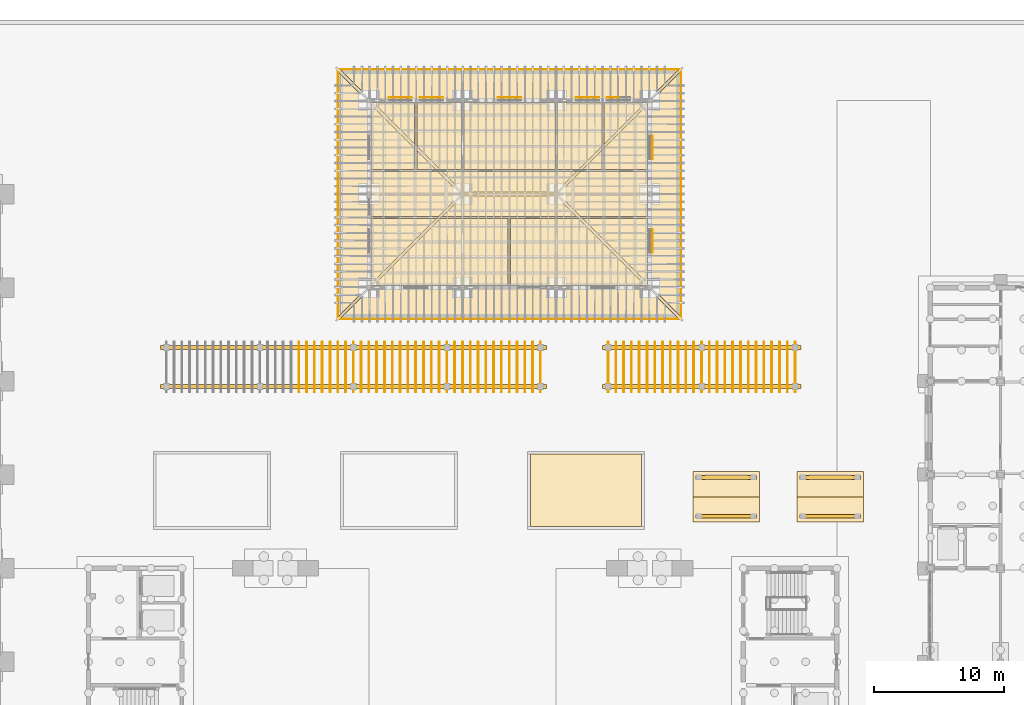
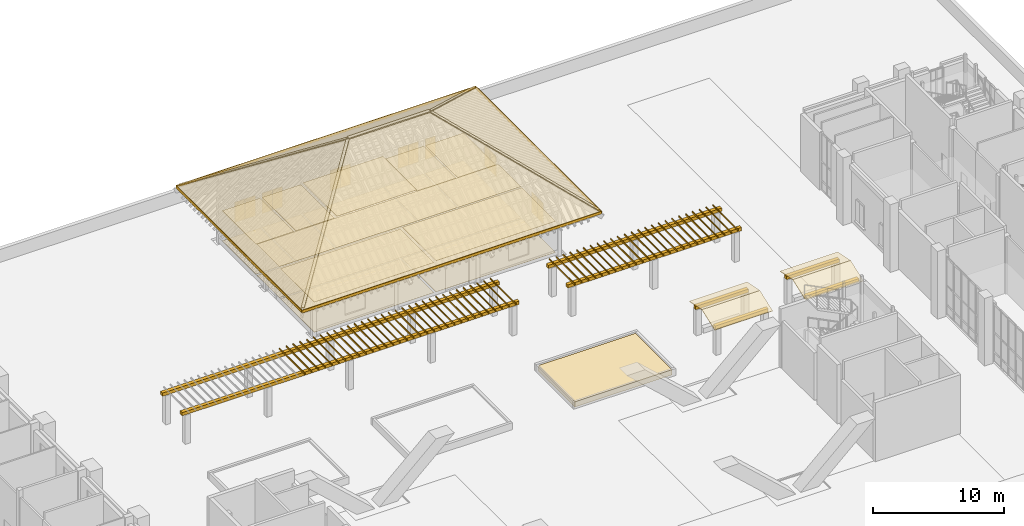
# One storey, part 77 of 84: 112 coverings.
"""IFC4 building model written with IfcOpenShell, lengths in metres."""

from ifc_helpers import new_model, si_unit, direction, frame, origin, origin_2d, place, context, subcontext, project, spatial, polyline, rectangle, outline, extrude, material, layer, layer_set, type_object, element, save


model = new_model("IFC4")

# Units and contexts
model_context = context("Model", 3, precision=1e-05, world=origin(), true_north=direction((0.0, 1.0)))
body_context = subcontext(model_context, "Body", "Model", "MODEL_VIEW")
ifc_project = project(units=[si_unit("LENGTHUNIT", "METRE"), si_unit("AREAUNIT", "SQUARE_METRE"), si_unit("VOLUMEUNIT", "CUBIC_METRE"), si_unit("PLANEANGLEUNIT", "RADIAN"), si_unit("MASSUNIT", "GRAM", prefix="KILO")], contexts=[model_context])

# Site, building, storey
site_placement = place(None, origin())
site = spatial("IfcSite", under=ifc_project, at=site_placement, CompositionType="ELEMENT")
building_placement = place(site_placement, origin())
building = spatial("IfcBuilding", under=site, at=building_placement, Name="Mazhai Court Health Centre", CompositionType="ELEMENT")
storey_placement = place(building_placement, origin())
storey = spatial("IfcBuildingStorey", under=building, at=storey_placement, Name="L00", CompositionType="ELEMENT", Elevation=0.0)

# Coverings
ifc_material_1 = material(Name="Gypsum plasterboard ceiling")
ifc_layer_1 = layer(ifc_material_1, 0.02001953125)
ifc_layer_set_1 = layer_set([ifc_layer_1], Name="CEILING GYPSUM BOARD 20")
covering_type_1 = type_object("IfcCoveringType", Name="CEILING GYPSUM BOARD 20", PredefinedType="CEILING", material=ifc_layer_set_1)
covering_1_placement = place(storey_placement, frame((0.0, 0.0, 2.800048828125)))
element("IfcCovering", 1, at=covering_1_placement, inside=storey, type_object=covering_type_1, Name="ceil-V3-L00-S-group-therapy-room", PredefinedType="CEILING", context=body_context, shape_type="SweptSolid", body=[
    extrude(outline(polyline([(103.300048828125, 49.56494140625), (103.300048828125, 54.72509765625), (92.764892578125, 54.72509765625), (92.764892578125, 49.56494140625), (103.300048828125, 49.56494140625)])), origin(), (0.0, 0.0, 1.0), 0.02001953125),
])
covering_2_placement = place(storey_placement, frame((0.0, 0.0, 2.89990234375)))
element("IfcCovering", 2, at=covering_2_placement, inside=storey, type_object=covering_type_1, Name="ceil-V3-L00-S-horticultural-therapy-workshop", PredefinedType="CEILING", context=body_context, shape_type="SweptSolid", body=[
    extrude(outline(polyline([(114.034912109375, 49.56494140625), (114.034912109375, 54.72509765625), (103.5, 54.72509765625), (103.5, 49.56494140625), (114.034912109375, 49.56494140625)])), origin(), (0.0, 0.0, 1.0), 0.02001953125),
])
covering_3_placement = place(storey_placement, frame((0.0, 0.0, 2.800048828125)))
element("IfcCovering", 3, at=covering_3_placement, inside=storey, type_object=covering_type_1, Name="ceil-V3-L00-N-quiet-room-1", PredefinedType="CEILING", context=body_context, shape_type="SweptSolid", body=[
    extrude(outline(polyline([(96.10009765625, 58.47509765625), (96.10009765625, 63.635009765625), (92.764892578125, 63.635009765625), (92.764892578125, 58.47509765625), (96.10009765625, 58.47509765625)])), origin(), (0.0, 0.0, 1.0), 0.02001953125),
])
covering_4_placement = place(storey_placement, frame((0.0, 0.0, 2.800048828125)))
element("IfcCovering", 4, at=covering_4_placement, inside=storey, type_object=covering_type_1, Name="ceil-V3-L00-N-quiet-room-2", PredefinedType="CEILING", context=body_context, shape_type="SweptSolid", body=[
    extrude(outline(polyline([(99.699951171875, 58.47509765625), (99.699951171875, 63.635009765625), (96.300048828125, 63.635009765625), (96.300048828125, 58.47509765625), (99.699951171875, 58.47509765625)])), origin(), (0.0, 0.0, 1.0), 0.02001953125),
])
covering_5_placement = place(storey_placement, frame((0.0, 0.0, 2.89990234375)))
element("IfcCovering", 5, at=covering_5_placement, inside=storey, type_object=covering_type_1, Name="ceil-V3-L00-N-art-therapy-studio", PredefinedType="CEILING", context=body_context, shape_type="SweptSolid", body=[
    extrude(outline(polyline([(106.9375, 58.47509765625), (106.9375, 63.635009765625), (99.89990234375, 63.635009765625), (99.89990234375, 58.47509765625), (106.9375, 58.47509765625)])), origin(), (0.0, 0.0, 1.0), 0.02001953125),
])
covering_6_placement = place(storey_placement, frame((0.0, 0.0, 2.60009765625)))
element("IfcCovering", 6, at=covering_6_placement, inside=storey, type_object=covering_type_1, Name="ceil-V3-L00-N-tool-store", PredefinedType="CEILING", context=body_context, shape_type="SweptSolid", body=[
    extrude(outline(polyline([(110.52490234375, 58.47509765625), (110.52490234375, 63.635009765625), (107.0625, 63.635009765625), (107.0625, 58.47509765625), (110.52490234375, 58.47509765625)])), origin(), (0.0, 0.0, 1.0), 0.02001953125),
])
ifc_material_2 = material(Name="Mineral fibre ceiling tile")
ifc_layer_2 = layer(ifc_material_2, 0.014892578125)
ifc_layer_set_2 = layer_set([ifc_layer_2], Name="CEILING MINERAL FIBRE TILE 15")
covering_type_2 = type_object("IfcCoveringType", Name="CEILING MINERAL FIBRE TILE 15", PredefinedType="CEILING", material=ifc_layer_set_2)
covering_7_placement = place(storey_placement, frame((0.0, 0.0, 2.89990234375)))
element("IfcCovering", 7, at=covering_7_placement, inside=storey, type_object=covering_type_2, Name="ceil-V3-L00-gallery", PredefinedType="CEILING", context=body_context, shape_type="SweptSolid", body=[
    extrude(outline(polyline([(114.034912109375, 58.324951171875), (92.764892578125, 58.324951171875), (92.764892578125, 54.875), (114.034912109375, 54.875), (114.034912109375, 58.324951171875)])), origin(), (0.0, 0.0, 1.0), 0.01513671875),
])
ifc_material_3 = material(Name="Moisture resistant gypsum ceiling")
ifc_layer_3 = layer(ifc_material_3, 0.014892578125)
ifc_layer_set_3 = layer_set([ifc_layer_3], Name="CEILING MOISTURE RESISTANT BOARD 15")
covering_type_3 = type_object("IfcCoveringType", Name="CEILING MOISTURE RESISTANT BOARD 15", PredefinedType="CEILING", material=ifc_layer_set_3)
covering_8_placement = place(storey_placement, frame((0.0, 0.0, 2.60009765625)))
element("IfcCovering", 8, at=covering_8_placement, inside=storey, type_object=covering_type_3, Name="ceil-V3-L00-N-accessible-wc", PredefinedType="CEILING", context=body_context, shape_type="SweptSolid", body=[
    extrude(outline(polyline([(114.034912109375, 58.47509765625), (114.034912109375, 63.635009765625), (110.675048828125, 63.635009765625), (110.675048828125, 58.47509765625), (114.034912109375, 58.47509765625)])), origin(), (0.0, 0.0, 1.0), 0.014892578125),
])
ifc_material_4 = material(Name="Heavy duty vinyl flooring")
ifc_layer_4 = layer(ifc_material_4, 0.02001953125)
ifc_layer_set_4 = layer_set([ifc_layer_4], Name="FLOOR FINISH HEAVY DUTY VINYL FLOORING 20")
covering_type_4 = type_object("IfcCoveringType", Name="FLOOR FINISH HEAVY DUTY VINYL FLOORING 20", PredefinedType="FLOORING", material=ifc_layer_set_4)
covering_9_placement = place(storey_placement, origin())
element("IfcCovering", 9, at=covering_9_placement, inside=storey, type_object=covering_type_4, Name="floor-V3-L00-N-tool-store", PredefinedType="FLOORING", context=body_context, shape_type="SweptSolid", body=[
    extrude(outline(polyline([(110.52490234375, 58.47509765625), (110.52490234375, 63.635009765625), (107.0625, 63.635009765625), (107.0625, 58.47509765625), (110.52490234375, 58.47509765625)])), origin(), (0.0, 0.0, 1.0), 0.02001953125),
])
ifc_material_5 = material(Name="Linoleum flooring")
ifc_layer_5 = layer(ifc_material_5, 0.02001953125)
ifc_layer_set_5 = layer_set([ifc_layer_5], Name="FLOOR FINISH LINOLEUM FLOORING 20")
covering_type_5 = type_object("IfcCoveringType", Name="FLOOR FINISH LINOLEUM FLOORING 20", PredefinedType="FLOORING", material=ifc_layer_set_5)
covering_10_placement = place(storey_placement, origin())
element("IfcCovering", 10, at=covering_10_placement, inside=storey, type_object=covering_type_5, Name="floor-V3-L00-S-group-therapy-room", PredefinedType="FLOORING", context=body_context, shape_type="SweptSolid", body=[
    extrude(outline(polyline([(103.300048828125, 49.56494140625), (103.300048828125, 54.72509765625), (92.764892578125, 54.72509765625), (92.764892578125, 49.56494140625), (103.300048828125, 49.56494140625)])), origin(), (0.0, 0.0, 1.0), 0.02001953125),
])
covering_11_placement = place(storey_placement, origin())
element("IfcCovering", 11, at=covering_11_placement, inside=storey, type_object=covering_type_5, Name="floor-V3-L00-S-horticultural-therapy-workshop", PredefinedType="FLOORING", context=body_context, shape_type="SweptSolid", body=[
    extrude(outline(polyline([(114.034912109375, 49.56494140625), (114.034912109375, 54.72509765625), (103.5, 54.72509765625), (103.5, 49.56494140625), (114.034912109375, 49.56494140625)])), origin(), (0.0, 0.0, 1.0), 0.02001953125),
])
covering_12_placement = place(storey_placement, origin())
element("IfcCovering", 12, at=covering_12_placement, inside=storey, type_object=covering_type_5, Name="floor-V3-L00-N-quiet-room-1", PredefinedType="FLOORING", context=body_context, shape_type="SweptSolid", body=[
    extrude(outline(polyline([(96.10009765625, 58.47509765625), (96.10009765625, 63.635009765625), (92.764892578125, 63.635009765625), (92.764892578125, 58.47509765625), (96.10009765625, 58.47509765625)])), origin(), (0.0, 0.0, 1.0), 0.02001953125),
])
covering_13_placement = place(storey_placement, origin())
element("IfcCovering", 13, at=covering_13_placement, inside=storey, type_object=covering_type_5, Name="floor-V3-L00-N-quiet-room-2", PredefinedType="FLOORING", context=body_context, shape_type="SweptSolid", body=[
    extrude(outline(polyline([(99.699951171875, 58.47509765625), (99.699951171875, 63.635009765625), (96.300048828125, 63.635009765625), (96.300048828125, 58.47509765625), (99.699951171875, 58.47509765625)])), origin(), (0.0, 0.0, 1.0), 0.02001953125),
])
covering_14_placement = place(storey_placement, origin())
element("IfcCovering", 14, at=covering_14_placement, inside=storey, type_object=covering_type_5, Name="floor-V3-L00-N-art-therapy-studio", PredefinedType="FLOORING", context=body_context, shape_type="SweptSolid", body=[
    extrude(outline(polyline([(106.9375, 58.47509765625), (106.9375, 63.635009765625), (99.89990234375, 63.635009765625), (99.89990234375, 58.47509765625), (106.9375, 58.47509765625)])), origin(), (0.0, 0.0, 1.0), 0.02001953125),
])
covering_15_placement = place(storey_placement, origin())
element("IfcCovering", 15, at=covering_15_placement, inside=storey, type_object=covering_type_5, Name="floor-V3-L00-gallery", PredefinedType="FLOORING", context=body_context, shape_type="SweptSolid", body=[
    extrude(outline(polyline([(114.034912109375, 58.324951171875), (92.764892578125, 58.324951171875), (92.764892578125, 54.875), (114.034912109375, 54.875), (114.034912109375, 58.324951171875)])), origin(), (0.0, 0.0, 1.0), 0.02001953125),
])
ifc_material_6 = material(Name="Porcelain tile flooring")
ifc_layer_6 = layer(ifc_material_6, 0.02490234375)
ifc_layer_set_6 = layer_set([ifc_layer_6], Name="FLOOR FINISH PORCELAIN TILE FLOORING 25")
covering_type_6 = type_object("IfcCoveringType", Name="FLOOR FINISH PORCELAIN TILE FLOORING 25", PredefinedType="FLOORING", material=ifc_layer_set_6)
covering_16_placement = place(storey_placement, origin())
element("IfcCovering", 16, at=covering_16_placement, inside=storey, type_object=covering_type_6, Name="floor-V3-L00-N-accessible-wc", PredefinedType="FLOORING", context=body_context, shape_type="SweptSolid", body=[
    extrude(outline(polyline([(114.034912109375, 58.47509765625), (114.034912109375, 63.635009765625), (110.675048828125, 63.635009765625), (110.675048828125, 58.47509765625), (114.034912109375, 58.47509765625)])), origin(), (0.0, 0.0, 1.0), 0.02490234375),
])
ifc_material_7 = material(Name="Planting bed soil and shrubs")
ifc_layer_7 = layer(ifc_material_7, 0.5)
ifc_layer_set_7 = layer_set([ifc_layer_7], Name="PLANTING BED SOIL 500")
covering_type_7 = type_object("IfcCoveringType", Name="PLANTING BED SOIL 500", PredefinedType="FLOORING", material=ifc_layer_set_7)
covering_17_placement = place(storey_placement, origin())
element("IfcCovering", 17, at=covering_17_placement, inside=storey, type_object=covering_type_7, Name="Planting bed 3", PredefinedType="FLOORING", context=body_context, shape_type="SweptSolid", body=[
    extrude(outline(polyline([(105.014892578125, 31.014892578125), (113.5849609375, 31.014892578125), (113.5849609375, 36.5849609375), (105.014892578125, 36.5849609375), (105.014892578125, 31.014892578125)])), origin(), (0.0, 0.0, 1.0), 0.5),
])
ifc_material_8 = material(Name="Clay roof tile")
ifc_layer_8 = layer(ifc_material_8, 0.10009765625)
ifc_layer_set_8 = layer_set([ifc_layer_8], Name="ROOFING CLAY ROOF TILE 100")
covering_type_8 = type_object("IfcCoveringType", Name="ROOFING CLAY ROOF TILE 100", PredefinedType="MOLDING", material=ifc_layer_set_8)
covering_18_placement = place(storey_placement, frame((103.39990234375, 56.60009765625, 11.3466796875), z_axis=(0.0, 0.0, 1.0), x_axis=(1.0, 0.0, 0.0)))
element("IfcCovering", 18, at=covering_18_placement, inside=storey, type_object=covering_type_8, Name="Ridge cap RV3-RG1", PredefinedType="MOLDING", context=body_context, shape_type="SweptSolid", body=[
    extrude(rectangle(XDim=7.199951171875, YDim=0.300048828125, at=origin_2d()), origin(), (0.0, 0.0, 1.0), 0.10009765625),
])
ifc_material_9 = material(Name="Larch fascia board", Category="wood")
ifc_layer_9 = layer(ifc_material_9, 0.02490234375)
ifc_layer_set_9 = layer_set([ifc_layer_9], Name="ROOFING CLAY ROOF TILE 25")
covering_type_9 = type_object("IfcCoveringType", Name="ROOFING CLAY ROOF TILE 25", PredefinedType="MOLDING", material=ifc_layer_set_9)
covering_19_placement = place(storey_placement, frame((0.0, 0.0, 4.269287109375)))
element("IfcCovering", 19, at=covering_19_placement, inside=storey, type_object=covering_type_9, Name="Fascia board RV3-FB1", PredefinedType="MOLDING", context=body_context, shape_type="SweptSolid", body=[
    extrude(outline(polyline([(116.60009765625, 47.02001953125), (90.199951171875, 47.02001953125), (90.199951171875, 46.97509765625), (116.60009765625, 46.97509765625), (116.60009765625, 47.02001953125)])), origin(), (0.0, 0.0, 1.0), 0.25),
])
covering_20_placement = place(storey_placement, frame((0.0, 0.0, 4.269287109375)))
element("IfcCovering", 20, at=covering_20_placement, inside=storey, type_object=covering_type_9, Name="Fascia board RV3-FB2", PredefinedType="MOLDING", context=body_context, shape_type="SweptSolid", body=[
    extrude(outline(polyline([(90.199951171875, 66.179931640625), (116.60009765625, 66.179931640625), (116.60009765625, 66.22509765625), (90.199951171875, 66.22509765625), (90.199951171875, 66.179931640625)])), origin(), (0.0, 0.0, 1.0), 0.25),
])
covering_21_placement = place(storey_placement, frame((0.0, 0.0, 4.269287109375)))
element("IfcCovering", 21, at=covering_21_placement, inside=storey, type_object=covering_type_9, Name="Fascia board RV3-FB3", PredefinedType="MOLDING", context=body_context, shape_type="SweptSolid", body=[
    extrude(outline(polyline([(90.219970703125, 47.0), (90.219970703125, 66.199951171875), (90.175048828125, 66.199951171875), (90.175048828125, 47.0), (90.219970703125, 47.0)])), origin(), (0.0, 0.0, 1.0), 0.25),
])
covering_22_placement = place(storey_placement, frame((0.0, 0.0, 4.269287109375)))
element("IfcCovering", 22, at=covering_22_placement, inside=storey, type_object=covering_type_9, Name="Fascia board RV3-FB4", PredefinedType="MOLDING", context=body_context, shape_type="SweptSolid", body=[
    extrude(outline(polyline([(116.580078125, 66.199951171875), (116.580078125, 47.0), (116.625, 47.0), (116.625, 66.199951171875), (116.580078125, 66.199951171875)])), origin(), (0.0, 0.0, 1.0), 0.25),
])
ifc_material_10 = material(Name="Clay roof tile")
ifc_layer_10 = layer(ifc_material_10, 0.030029296875)
ifc_layer_set_10 = layer_set([ifc_layer_10], Name="ROOFING CLAY ROOF TILE 30")
covering_type_10 = type_object("IfcCoveringType", Name="ROOFING CLAY ROOF TILE 30", PredefinedType="ROOFING", material=ifc_layer_set_10)
covering_23_placement = place(storey_placement, frame((90.27587890625, 47.0, 4.519287109375), z_axis=(0.0, -0.583057017903, 0.812431236397), x_axis=(1.0, 0.0, 0.0)))
element("IfcCovering", 23, at=covering_23_placement, inside=storey, type_object=covering_type_10, Name="Roof covering RV3-RC1", PredefinedType="ROOFING", context=body_context, shape_type="SweptSolid", body=[
    extrude(outline(polyline([(0.0, 0.0), (26.248291015625, 0.0), (16.72412109375, 11.723047434893976), (9.524169921875, 11.723047434893976), (0.0, 0.0)])), origin(), (0.0, 0.0, -1.0), 0.030029296875),
])
covering_24_placement = place(storey_placement, frame((90.27587890625, 66.199951171875, 4.519287109375), z_axis=(0.0, 0.583057017903, 0.812431236397), x_axis=(0.630560476862, -0.630560476862, 0.452533943521)))
element("IfcCovering", 24, at=covering_24_placement, inside=storey, type_object=covering_type_10, Name="Roof covering RV3-RC2", PredefinedType="ROOFING", context=body_context, shape_type="SweptSolid", body=[
    extrude(outline(polyline([(0.0, 0.0), (15.10429256408663, -4.440892098500626e-16), (19.6442972084079, 5.588170962571338), (16.55113489962744, 20.372351724218653), (0.0, 0.0)])), origin(), (0.0, 0.0, -1.0), 0.030029296875),
])
covering_25_placement = place(storey_placement, frame((99.72412109375, 56.60009765625, 11.3544921875), z_axis=(-0.583057017903, 0.0, 0.812431236397), x_axis=(-0.630560476862, 0.630560476862, -0.452533943521)))
element("IfcCovering", 25, at=covering_25_placement, inside=storey, type_object=covering_type_10, Name="Roof covering RV3-RC3", PredefinedType="ROOFING", context=body_context, shape_type="SweptSolid", body=[
    extrude(outline(polyline([(0.0, 0.0), (15.104292564086633, -4.440892098500626e-16), (3.093008363351542, 14.784370248981167), (0.0, 0.0)])), origin(), (0.0, 0.0, -1.0), 0.030029296875),
])
covering_26_placement = place(storey_placement, frame((116.60009765625, 66.124267578125, 4.519287109375), z_axis=(0.583047153025, 0.0, 0.812438316027), x_axis=(-0.630570213596, -0.630554050102, 0.452529331232)))
element("IfcCovering", 26, at=covering_26_placement, inside=storey, type_object=covering_type_10, Name="Roof covering RV3-RC4", PredefinedType="ROOFING", context=body_context, shape_type="SweptSolid", body=[
    extrude(outline(polyline([(0.0, 0.0), (15.104446510704125, 8.881784197001252e-16), (12.011161780057632, 14.784469706522131), (0.0, 0.0)])), origin(), (0.0, 0.0, -1.0), 0.030029296875),
])
ifc_material_11 = material(Name="Clay roof tile")
ifc_layer_11 = layer(ifc_material_11, 0.070068359375)
ifc_layer_set_11 = layer_set([ifc_layer_11], Name="ROOFING CLAY ROOF TILE 70")
covering_type_11 = type_object("IfcCoveringType", Name="ROOFING CLAY ROOF TILE 70", PredefinedType="MOLDING", material=ifc_layer_set_11)
covering_27_placement = place(storey_placement, frame((90.4228515625, 47.052978515625, 4.63818359375), z_axis=(-0.319869882102, -0.32010000432, 0.891750663447), x_axis=(0.630554813738, 0.630571084179, 0.452527054075)))
element("IfcCovering", 27, at=covering_27_placement, inside=storey, type_object=covering_type_11, Name="Hip cap RV3-HC1", PredefinedType="MOLDING", context=body_context, shape_type="SweptSolid", body=[
    extrude(outline(polyline([(0.0, 0.0), (15.00571615058051, 1.1345091532888318e-15), (15.005718911311979, 0.23996054999313213), (-0.00015118331485612646, 0.2401331979654536), (0.0, 0.0)])), origin(), (0.0, 0.0, -1.0), 0.070068359375),
])
covering_28_placement = place(storey_placement, frame((116.546875, 47.22265625, 4.63818359375), z_axis=(0.319869882102, -0.32010000432, 0.891750663447), x_axis=(-0.630554813738, 0.630571084179, 0.452527054075)))
element("IfcCovering", 28, at=covering_28_placement, inside=storey, type_object=covering_type_11, Name="Hip cap RV3-HC2", PredefinedType="MOLDING", context=body_context, shape_type="SweptSolid", body=[
    extrude(outline(polyline([(0.0, 0.0), (15.00571615058051, -1.1345091532888318e-15), (15.005867333895365, 0.24013319796545282), (-2.7607314666694416e-06, 0.2399605499931316), (0.0, 0.0)])), origin(), (0.0, 0.0, -1.0), 0.070068359375),
])
covering_29_placement = place(storey_placement, frame((90.2529296875, 65.977294921875, 4.63818359375), z_axis=(-0.319869882102, 0.32010000432, 0.891750663447), x_axis=(0.630562949899, -0.6305629493, 0.452527052435)))
element("IfcCovering", 29, at=covering_29_placement, inside=storey, type_object=covering_type_11, Name="Hip cap RV3-HC3", PredefinedType="MOLDING", context=body_context, shape_type="SweptSolid", body=[
    extrude(outline(polyline([(0.0, 0.0), (15.005870095620022, -1.474514954580286e-15), (15.005870095721622, 0.23996055000901192), (0.0001539461342928844, 0.24013319621014118), (0.0, 0.0)])), origin(), (0.0, 0.0, -1.0), 0.070068359375),
])
covering_30_placement = place(storey_placement, frame((116.377197265625, 66.14697265625, 4.63818359375), z_axis=(0.319869882102, 0.32010000432, 0.891750663447), x_axis=(-0.630562949899, -0.6305629493, 0.452527052435)))
element("IfcCovering", 30, at=covering_30_placement, inside=storey, type_object=covering_type_11, Name="Hip cap RV3-HC4", PredefinedType="MOLDING", context=body_context, shape_type="SweptSolid", body=[
    extrude(outline(polyline([(0.0, 0.0), (15.005870095620022, 1.474514954580286e-15), (15.005716149485728, 0.2401331962101422), (-1.0160280949911282e-10, 0.23996055000901262), (0.0, 0.0)])), origin(), (0.0, 0.0, -1.0), 0.070068359375),
])
ifc_material_12 = material(Name="Timber shingle roofing", Category="wood")
ifc_layer_12 = layer(ifc_material_12, 0.06005859375)
ifc_layer_set_12 = layer_set([ifc_layer_12], Name="SHELTER ROOF TIMBER SHINGLE 60")
covering_type_12 = type_object("IfcCoveringType", Name="SHELTER ROOF TIMBER SHINGLE 60", PredefinedType="ROOFING", material=ifc_layer_set_12)
covering_31_placement = place(storey_placement, frame((117.550048828125, 31.35009765625, 2.594970703125), z_axis=(0.0, -0.344299549758, 0.938859851115), x_axis=(1.0, 0.0, 0.0)))
element("IfcCovering", 31, at=covering_31_placement, inside=storey, type_object=covering_type_12, Name="Shelter A roof A", PredefinedType="ROOFING", context=body_context, shape_type="SweptSolid", body=[
    extrude(outline(polyline([(0.0, 0.0), (5.099853515625, 0.0), (5.099853515625, 2.0769353056884556), (0.0, 2.0769353056884556), (0.0, 0.0)])), origin(), (0.0, 0.0, -1.0), 0.06005859375),
])
covering_32_placement = place(storey_placement, frame((117.550048828125, 33.300048828125, 3.31005859375), z_axis=(0.0, 0.193706145188, 0.981059595191), x_axis=(1.0, 0.0, 0.0)))
element("IfcCovering", 32, at=covering_32_placement, inside=storey, type_object=covering_type_12, Name="Shelter A roof B", PredefinedType="ROOFING", context=body_context, shape_type="SweptSolid", body=[
    extrude(outline(polyline([(0.0, 0.0), (5.099853515625, 0.0), (5.099853515625, 1.9875970648809338), (0.0, 1.9875970648809338), (0.0, 0.0)])), origin(), (0.0, 0.0, -1.0), 0.06005859375),
])
covering_33_placement = place(storey_placement, frame((125.550048828125, 31.35009765625, 2.594970703125), z_axis=(0.0, -0.344299549758, 0.938859851115), x_axis=(1.0, 0.0, 0.0)))
element("IfcCovering", 33, at=covering_33_placement, inside=storey, type_object=covering_type_12, Name="Shelter B roof A", PredefinedType="ROOFING", context=body_context, shape_type="SweptSolid", body=[
    extrude(outline(polyline([(0.0, 0.0), (5.099853515625, 0.0), (5.099853515625, 2.0769353056884556), (0.0, 2.0769353056884556), (0.0, 0.0)])), origin(), (0.0, 0.0, -1.0), 0.06005859375),
])
covering_34_placement = place(storey_placement, frame((125.550048828125, 33.300048828125, 3.31005859375), z_axis=(0.0, 0.193706145188, 0.981059595191), x_axis=(1.0, 0.0, 0.0)))
element("IfcCovering", 34, at=covering_34_placement, inside=storey, type_object=covering_type_12, Name="Shelter B roof B", PredefinedType="ROOFING", context=body_context, shape_type="SweptSolid", body=[
    extrude(outline(polyline([(0.0, 0.0), (5.099853515625, 0.0), (5.099853515625, 1.9875970648809338), (0.0, 1.9875970648809338), (0.0, 0.0)])), origin(), (0.0, 0.0, -1.0), 0.06005859375),
])
ifc_material_13 = material(Name="Aluminium louvre", Category="aluminium")
ifc_layer_13 = layer(ifc_material_13, 0.0400390625)
ifc_layer_set_13 = layer_set([ifc_layer_13], Name="SHUTTER LEAF 600x40")
covering_type_13 = type_object("IfcCoveringType", Name="SHUTTER LEAF 600x40", PredefinedType="CLADDING", material=ifc_layer_set_13)
for number, where, z_axis, x_axis, name in (
    (35, (94.550048828125, 64.030029296875, 1.0), (0.0, 0.0, 1.0), (1.0, 0.0, 0.0), "LV-V3-N0aa"),
    (36, (95.449951171875, 64.030029296875, 1.0), (0.0, 0.0, 1.0), (1.0, 0.0, 0.0), "LV-V3-N0ab"),
    (37, (96.949951171875, 64.030029296875, 1.0), (0.0, 0.0, 1.0), (1.0, 0.0, 0.0), "LV-V3-N0ba"),
    (38, (97.85009765625, 64.030029296875, 1.0), (0.0, 0.0, 1.0), (1.0, 0.0, 0.0), "LV-V3-N0bb"),
    (39, (102.949951171875, 64.030029296875, 1.0), (0.0, 0.0, 1.0), (1.0, 0.0, 0.0), "LV-V3-N1a"),
    (40, (103.85009765625, 64.030029296875, 1.0), (0.0, 0.0, 1.0), (1.0, 0.0, 0.0), "LV-V3-N1b"),
    (41, (108.949951171875, 64.030029296875, 1.0), (0.0, 0.0, 1.0), (1.0, 0.0, 0.0), "LV-V3-N2aa"),
    (42, (109.85009765625, 64.030029296875, 1.0), (0.0, 0.0, 1.0), (1.0, 0.0, 0.0), "LV-V3-N2ab"),
    (43, (111.35009765625, 64.030029296875, 1.0), (0.0, 0.0, 1.0), (1.0, 0.0, 0.0), "LV-V3-N2ba"),
    (44, (114.429931640625, 52.550048828125, 1.0), (0.0, 0.0, 1.0), (0.0, 1.0, 0.0), "LV-V3-E0a"),
    (45, (114.429931640625, 53.449951171875, 1.0), (0.0, 0.0, 1.0), (0.0, 1.0, 0.0), "LV-V3-E0b"),
    (46, (114.429931640625, 59.75, 1.0), (0.0, 0.0, 1.0), (0.0, 1.0, 0.0), "LV-V3-E1a"),
    (47, (114.429931640625, 60.64990234375, 1.0), (0.0, 0.0, 1.0), (0.0, 1.0, 0.0), "LV-V3-E1b"),
):
    element("IfcCovering", number, at=place(storey_placement, frame(where, z_axis=z_axis, x_axis=x_axis)), inside=storey, type_object=covering_type_13, Name=name, PredefinedType="CLADDING", context=body_context, shape_type="SweptSolid", body=[
        extrude(rectangle(XDim=0.89990234375, YDim=0.0400390625, at=origin_2d()), origin(), (0.0, 0.0, 1.0), 1.89990234375),
    ])
ifc_material_14 = material(Name="Teak timber", Category="wood")
ifc_layer_14 = layer(ifc_material_14, 0.1201171875)
ifc_layer_set_14 = layer_set([ifc_layer_14], Name="TEAK PERGOLA BEAM 120x300")
covering_type_14 = type_object("IfcCoveringType", Name="TEAK PERGOLA BEAM 120x300", PredefinedType="CLADDING", material=ifc_layer_set_14)
for number, where, z_axis, x_axis, name in (
    (48, (91.39990234375, 41.800048828125, 2.7001953125), (0.0, 0.0, 1.0), (1.0, 0.0, 0.0), "Pergola beam A0"),
    (49, (91.39990234375, 44.800048828125, 2.7001953125), (0.0, 0.0, 1.0), (1.0, 0.0, 0.0), "Pergola beam A1"),
):
    element("IfcCovering", number, at=place(storey_placement, frame(where, z_axis=z_axis, x_axis=x_axis)), inside=storey, type_object=covering_type_14, Name=name, PredefinedType="CLADDING", context=body_context, shape_type="SweptSolid", body=[
        extrude(rectangle(XDim=29.699951171875, YDim=0.300048828125, at=origin_2d()), origin(), (0.0, 0.0, 1.0), 0.300048828125),
    ])
for number, where, z_axis, x_axis, name in (
    (50, (118.199951171875, 41.800048828125, 2.7001953125), (0.0, 0.0, 1.0), (1.0, 0.0, 0.0), "Pergola beam B0"),
    (51, (118.199951171875, 44.800048828125, 2.7001953125), (0.0, 0.0, 1.0), (1.0, 0.0, 0.0), "Pergola beam B1"),
):
    element("IfcCovering", number, at=place(storey_placement, frame(where, z_axis=z_axis, x_axis=x_axis)), inside=storey, type_object=covering_type_14, Name=name, PredefinedType="CLADDING", context=body_context, shape_type="SweptSolid", body=[
        extrude(rectangle(XDim=15.300048828125, YDim=0.300048828125, at=origin_2d()), origin(), (0.0, 0.0, 1.0), 0.300048828125),
    ])
ifc_material_15 = material(Name="Teak timber", Category="wood")
ifc_layer_15 = layer(ifc_material_15, 0.06005859375)
ifc_layer_set_15 = layer_set([ifc_layer_15], Name="TEAK PERGOLA SLAT 60x120")
covering_type_15 = type_object("IfcCoveringType", Name="TEAK PERGOLA SLAT 60x120", PredefinedType="CLADDING", material=ifc_layer_set_15)
for number, where, z_axis, x_axis, name in (
    (52, (87.199951171875, 43.300048828125, 3.0), (0.0, 0.0, 1.0), (1.0, 0.0, 0.0), "Pergola slat A17"),
    (53, (87.800048828125, 43.300048828125, 3.0), (0.0, 0.0, 1.0), (1.0, 0.0, 0.0), "Pergola slat A18"),
    (54, (88.39990234375, 43.300048828125, 3.0), (0.0, 0.0, 1.0), (1.0, 0.0, 0.0), "Pergola slat A19"),
    (55, (89.0, 43.300048828125, 3.0), (0.0, 0.0, 1.0), (1.0, 0.0, 0.0), "Pergola slat A20"),
    (56, (89.60009765625, 43.300048828125, 3.0), (0.0, 0.0, 1.0), (1.0, 0.0, 0.0), "Pergola slat A21"),
    (57, (90.199951171875, 43.300048828125, 3.0), (0.0, 0.0, 1.0), (1.0, 0.0, 0.0), "Pergola slat A22"),
    (58, (90.800048828125, 43.300048828125, 3.0), (0.0, 0.0, 1.0), (1.0, 0.0, 0.0), "Pergola slat A23"),
    (59, (91.39990234375, 43.300048828125, 3.0), (0.0, 0.0, 1.0), (1.0, 0.0, 0.0), "Pergola slat A24"),
    (60, (92.0, 43.300048828125, 3.0), (0.0, 0.0, 1.0), (1.0, 0.0, 0.0), "Pergola slat A25"),
    (61, (92.60009765625, 43.300048828125, 3.0), (0.0, 0.0, 1.0), (1.0, 0.0, 0.0), "Pergola slat A26"),
    (62, (93.199951171875, 43.300048828125, 3.0), (0.0, 0.0, 1.0), (1.0, 0.0, 0.0), "Pergola slat A27"),
    (63, (93.800048828125, 43.300048828125, 3.0), (0.0, 0.0, 1.0), (1.0, 0.0, 0.0), "Pergola slat A28"),
    (64, (94.39990234375, 43.300048828125, 3.0), (0.0, 0.0, 1.0), (1.0, 0.0, 0.0), "Pergola slat A29"),
    (65, (95.0, 43.300048828125, 3.0), (0.0, 0.0, 1.0), (1.0, 0.0, 0.0), "Pergola slat A30"),
    (66, (95.60009765625, 43.300048828125, 3.0), (0.0, 0.0, 1.0), (1.0, 0.0, 0.0), "Pergola slat A31"),
    (67, (96.199951171875, 43.300048828125, 3.0), (0.0, 0.0, 1.0), (1.0, 0.0, 0.0), "Pergola slat A32"),
    (68, (96.800048828125, 43.300048828125, 3.0), (0.0, 0.0, 1.0), (1.0, 0.0, 0.0), "Pergola slat A33"),
    (69, (97.39990234375, 43.300048828125, 3.0), (0.0, 0.0, 1.0), (1.0, 0.0, 0.0), "Pergola slat A34"),
    (70, (98.0, 43.300048828125, 3.0), (0.0, 0.0, 1.0), (1.0, 0.0, 0.0), "Pergola slat A35"),
    (71, (98.60009765625, 43.300048828125, 3.0), (0.0, 0.0, 1.0), (1.0, 0.0, 0.0), "Pergola slat A36"),
    (72, (99.199951171875, 43.300048828125, 3.0), (0.0, 0.0, 1.0), (1.0, 0.0, 0.0), "Pergola slat A37"),
    (73, (99.800048828125, 43.300048828125, 3.0), (0.0, 0.0, 1.0), (1.0, 0.0, 0.0), "Pergola slat A38"),
    (74, (100.39990234375, 43.300048828125, 3.0), (0.0, 0.0, 1.0), (1.0, 0.0, 0.0), "Pergola slat A39"),
    (75, (101.0, 43.300048828125, 3.0), (0.0, 0.0, 1.0), (1.0, 0.0, 0.0), "Pergola slat A40"),
    (76, (101.60009765625, 43.300048828125, 3.0), (0.0, 0.0, 1.0), (1.0, 0.0, 0.0), "Pergola slat A41"),
    (77, (102.199951171875, 43.300048828125, 3.0), (0.0, 0.0, 1.0), (1.0, 0.0, 0.0), "Pergola slat A42"),
    (78, (102.800048828125, 43.300048828125, 3.0), (0.0, 0.0, 1.0), (1.0, 0.0, 0.0), "Pergola slat A43"),
    (79, (103.39990234375, 43.300048828125, 3.0), (0.0, 0.0, 1.0), (1.0, 0.0, 0.0), "Pergola slat A44"),
    (80, (104.0, 43.300048828125, 3.0), (0.0, 0.0, 1.0), (1.0, 0.0, 0.0), "Pergola slat A45"),
    (81, (104.60009765625, 43.300048828125, 3.0), (0.0, 0.0, 1.0), (1.0, 0.0, 0.0), "Pergola slat A46"),
    (82, (105.199951171875, 43.300048828125, 3.0), (0.0, 0.0, 1.0), (1.0, 0.0, 0.0), "Pergola slat A47"),
    (83, (105.800048828125, 43.300048828125, 3.0), (0.0, 0.0, 1.0), (1.0, 0.0, 0.0), "Pergola slat A48"),
    (84, (111.0, 43.300048828125, 3.0), (0.0, 0.0, 1.0), (1.0, 0.0, 0.0), "Pergola slat B0"),
    (85, (111.60009765625, 43.300048828125, 3.0), (0.0, 0.0, 1.0), (1.0, 0.0, 0.0), "Pergola slat B1"),
    (86, (112.199951171875, 43.300048828125, 3.0), (0.0, 0.0, 1.0), (1.0, 0.0, 0.0), "Pergola slat B2"),
    (87, (112.800048828125, 43.300048828125, 3.0), (0.0, 0.0, 1.0), (1.0, 0.0, 0.0), "Pergola slat B3"),
    (88, (113.39990234375, 43.300048828125, 3.0), (0.0, 0.0, 1.0), (1.0, 0.0, 0.0), "Pergola slat B4"),
    (89, (114.0, 43.300048828125, 3.0), (0.0, 0.0, 1.0), (1.0, 0.0, 0.0), "Pergola slat B5"),
    (90, (114.60009765625, 43.300048828125, 3.0), (0.0, 0.0, 1.0), (1.0, 0.0, 0.0), "Pergola slat B6"),
    (91, (115.199951171875, 43.300048828125, 3.0), (0.0, 0.0, 1.0), (1.0, 0.0, 0.0), "Pergola slat B7"),
    (92, (115.800048828125, 43.300048828125, 3.0), (0.0, 0.0, 1.0), (1.0, 0.0, 0.0), "Pergola slat B8"),
    (93, (116.39990234375, 43.300048828125, 3.0), (0.0, 0.0, 1.0), (1.0, 0.0, 0.0), "Pergola slat B9"),
    (94, (117.0, 43.300048828125, 3.0), (0.0, 0.0, 1.0), (1.0, 0.0, 0.0), "Pergola slat B10"),
    (95, (117.60009765625, 43.300048828125, 3.0), (0.0, 0.0, 1.0), (1.0, 0.0, 0.0), "Pergola slat B11"),
    (96, (118.199951171875, 43.300048828125, 3.0), (0.0, 0.0, 1.0), (1.0, 0.0, 0.0), "Pergola slat B12"),
    (97, (118.800048828125, 43.300048828125, 3.0), (0.0, 0.0, 1.0), (1.0, 0.0, 0.0), "Pergola slat B13"),
    (98, (119.39990234375, 43.300048828125, 3.0), (0.0, 0.0, 1.0), (1.0, 0.0, 0.0), "Pergola slat B14"),
    (99, (120.0, 43.300048828125, 3.0), (0.0, 0.0, 1.0), (1.0, 0.0, 0.0), "Pergola slat B15"),
    (100, (120.60009765625, 43.300048828125, 3.0), (0.0, 0.0, 1.0), (1.0, 0.0, 0.0), "Pergola slat B16"),
    (101, (121.199951171875, 43.300048828125, 3.0), (0.0, 0.0, 1.0), (1.0, 0.0, 0.0), "Pergola slat B17"),
    (102, (121.800048828125, 43.300048828125, 3.0), (0.0, 0.0, 1.0), (1.0, 0.0, 0.0), "Pergola slat B18"),
    (103, (122.39990234375, 43.300048828125, 3.0), (0.0, 0.0, 1.0), (1.0, 0.0, 0.0), "Pergola slat B19"),
    (104, (123.0, 43.300048828125, 3.0), (0.0, 0.0, 1.0), (1.0, 0.0, 0.0), "Pergola slat B20"),
    (105, (123.60009765625, 43.300048828125, 3.0), (0.0, 0.0, 1.0), (1.0, 0.0, 0.0), "Pergola slat B21"),
    (106, (124.199951171875, 43.300048828125, 3.0), (0.0, 0.0, 1.0), (1.0, 0.0, 0.0), "Pergola slat B22"),
    (107, (124.800048828125, 43.300048828125, 3.0), (0.0, 0.0, 1.0), (1.0, 0.0, 0.0), "Pergola slat B23"),
    (108, (125.39990234375, 43.300048828125, 3.0), (0.0, 0.0, 1.0), (1.0, 0.0, 0.0), "Pergola slat B24"),
):
    element("IfcCovering", number, at=place(storey_placement, frame(where, z_axis=z_axis, x_axis=x_axis)), inside=storey, type_object=covering_type_15, Name=name, PredefinedType="CLADDING", context=body_context, shape_type="SweptSolid", body=[
        extrude(rectangle(XDim=0.06005859375, YDim=3.89990234375, at=origin_2d()), origin(), (0.0, 0.0, 1.0), 0.1201171875),
    ])
ifc_material_16 = material(Name="Teak timber", Category="wood")
ifc_layer_16 = layer(ifc_material_16, 0.1201171875)
ifc_layer_set_16 = layer_set([ifc_layer_16], Name="TEAK SHELTER BEAM 120x300")
covering_type_16 = type_object("IfcCoveringType", Name="TEAK SHELTER BEAM 120x300", PredefinedType="CLADDING", material=ifc_layer_set_16)
for number, where, z_axis, x_axis, name in (
    (109, (120.10009765625, 31.800048828125, 2.39990234375), (0.0, 0.0, 1.0), (1.0, 0.0, 0.0), "Shelter A beam 0"),
    (110, (120.10009765625, 34.800048828125, 2.39990234375), (0.0, 0.0, 1.0), (1.0, 0.0, 0.0), "Shelter A beam 1"),
    (111, (128.10009765625, 31.800048828125, 2.39990234375), (0.0, 0.0, 1.0), (1.0, 0.0, 0.0), "Shelter B beam 0"),
    (112, (128.10009765625, 34.800048828125, 2.39990234375), (0.0, 0.0, 1.0), (1.0, 0.0, 0.0), "Shelter B beam 1"),
):
    element("IfcCovering", number, at=place(storey_placement, frame(where, z_axis=z_axis, x_axis=x_axis)), inside=storey, type_object=covering_type_16, Name=name, PredefinedType="CLADDING", context=body_context, shape_type="SweptSolid", body=[
        extrude(rectangle(XDim=4.64990234375, YDim=0.300048828125, at=origin_2d()), origin(), (0.0, 0.0, 1.0), 0.300048828125),
    ])

save(model, "model.ifc")
